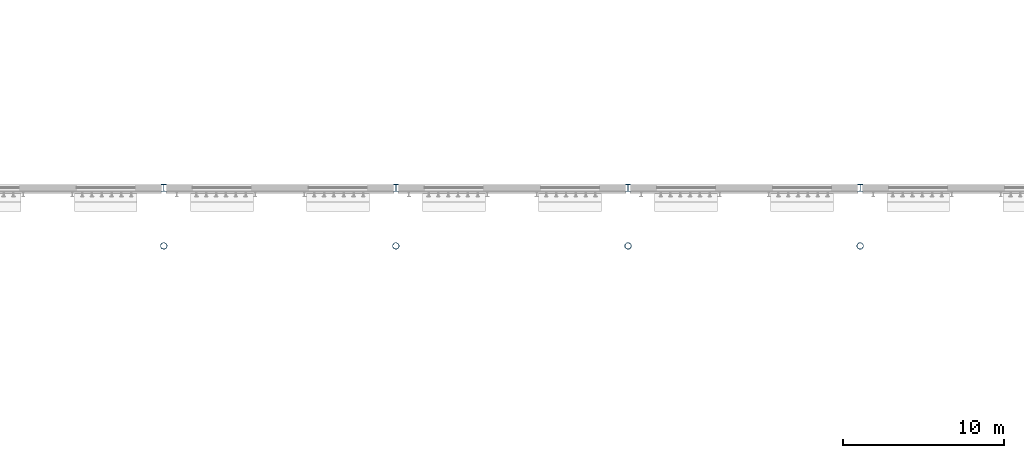
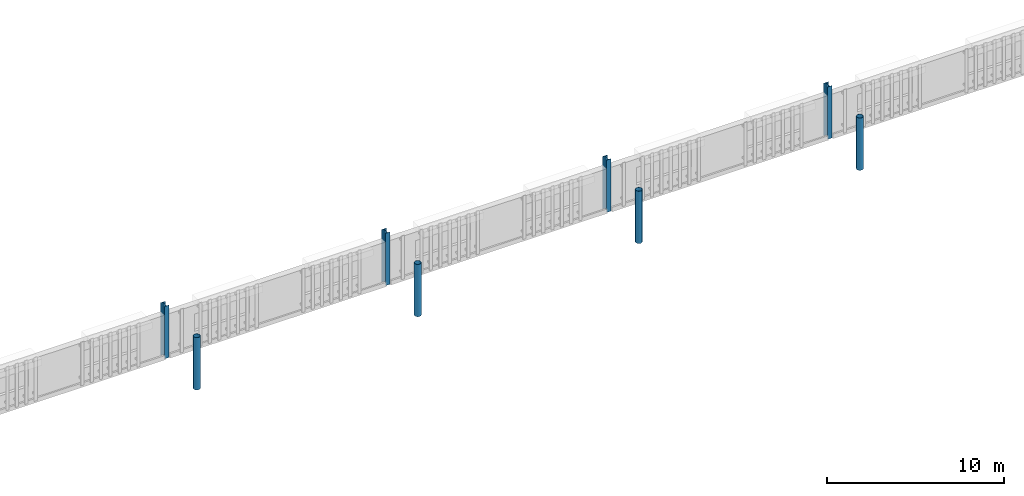
# One storey, part 15 of 124: 8 columns.
"""IFC4 building model written with IfcOpenShell, lengths in metres."""

from ifc_helpers import new_model, si_unit, direction, frame, origin, origin_2d, place, context, subcontext, project, spatial, hollow_circle, i_section, extrude, material, material_profile, profile_set, type_object, element, save


model = new_model("IFC4")

# Units and contexts
model_context = context("Model", 3, precision=1e-05, world=origin(), true_north=direction((0.0, 1.0)))
body_context = subcontext(model_context, "Body", "Model", "MODEL_VIEW")
ifc_project = project(units=[si_unit("LENGTHUNIT", "METRE"), si_unit("AREAUNIT", "SQUARE_METRE"), si_unit("VOLUMEUNIT", "CUBIC_METRE"), si_unit("PLANEANGLEUNIT", "RADIAN"), si_unit("MASSUNIT", "GRAM", prefix="KILO")], contexts=[model_context])

# Site, building, storey
site_placement = place(None, origin())
site = spatial("IfcSite", under=ifc_project, at=site_placement, CompositionType="ELEMENT")
building_placement = place(site_placement, origin())
building = spatial("IfcBuilding", under=site, at=building_placement, Name="Kupolbacken Congress Centre", CompositionType="ELEMENT")
storey_placement = place(building_placement, frame((0.0, 0.0, 10.800048828125)))
storey = spatial("IfcBuildingStorey", under=building, at=storey_placement, Name="L03", CompositionType="ELEMENT", Elevation=10.800048828125)

# Columns
ifc_material_1 = material(Name="Steel S355", Category="steel")
ifc_material_profile_1 = material_profile(ifc_material_1, i_section(OverallWidth=0.300048828125, OverallDepth=0.43994140625, WebThickness=0.011474609375, FlangeThickness=0.02099609375, FilletRadius=0.027099609375, at=origin_2d()), Name="HEA 450")
ifc_profile_set_1 = profile_set([ifc_material_profile_1], Name="Steel S355")
column_type_1 = type_object("IfcColumnType", Name="C07 column HEA 450", PredefinedType="COLUMN", material=ifc_profile_set_1)
for number, where, z_axis, x_axis, name in (
    (1, (136.800048828125, 43.199951171875, 0.0), (0.0, 0.0, 1.0), (1.0, 0.0, 0.0), "S/col/C-H-T4S/L03"),
    (2, (151.199951171875, 43.199951171875, 0.0), (0.0, 0.0, 1.0), (1.0, 0.0, 0.0), "S/col/C-H-T5S/L03"),
    (3, (165.60009765625, 43.199951171875, 0.0), (0.0, 0.0, 1.0), (1.0, 0.0, 0.0), "S/col/C-H-T6S/L03"),
    (4, (180.0, 43.199951171875, 0.0), (0.0, 0.0, 1.0), (1.0, 0.0, 0.0), "S/col/C-H-T7S/L03"),
):
    element("IfcColumn", number, at=place(storey_placement, frame(where, z_axis=z_axis, x_axis=x_axis)), inside=storey, type_object=column_type_1, Name=name, PredefinedType="COLUMN", context=body_context, shape_type="SweptSolid", body=[
        extrude(i_section(OverallWidth=0.300048828125, OverallDepth=0.43994140625, WebThickness=0.011474609375, FlangeThickness=0.02099609375, FilletRadius=0.027099609375, at=origin_2d()), origin(), (0.0, 0.0, 1.0), 3.599853515625),
    ])
ifc_material_2 = material(Name="Steel S355", Category="steel")
ifc_material_profile_2 = material_profile(ifc_material_2, hollow_circle(Radius=0.203125, WallThickness=0.01611328125, at=origin_2d()), Name="CHS 406.4 x 16")
ifc_profile_set_2 = profile_set([ifc_material_profile_2], Name="Steel S355")
column_type_2 = type_object("IfcColumnType", Name="C15 roof mast CHS 406.4 x 16", PredefinedType="COLUMN", material=ifc_profile_set_2)
for number, where, z_axis, x_axis, name in (
    (5, (136.800048828125, 39.60009765625, 0.0), (0.0, 0.0, 1.0), (1.0, 0.0, 0.0), "Roof mast M4S"),
    (6, (151.199951171875, 39.60009765625, 0.0), (0.0, 0.0, 1.0), (1.0, 0.0, 0.0), "Roof mast M5S"),
    (7, (165.60009765625, 39.60009765625, 0.0), (0.0, 0.0, 1.0), (1.0, 0.0, 0.0), "Roof mast M6S"),
    (8, (180.0, 39.60009765625, 0.0), (0.0, 0.0, 1.0), (1.0, 0.0, 0.0), "Roof mast M7S"),
):
    element("IfcColumn", number, at=place(storey_placement, frame(where, z_axis=z_axis, x_axis=x_axis)), inside=storey, type_object=column_type_2, Name=name, PredefinedType="COLUMN", context=body_context, shape_type="SweptSolid", body=[
        extrude(hollow_circle(Radius=0.203125, WallThickness=0.01611328125, at=origin_2d()), origin(), (0.0, 0.0, 1.0), 3.599853515625),
    ])

save(model, "model.ifc")
